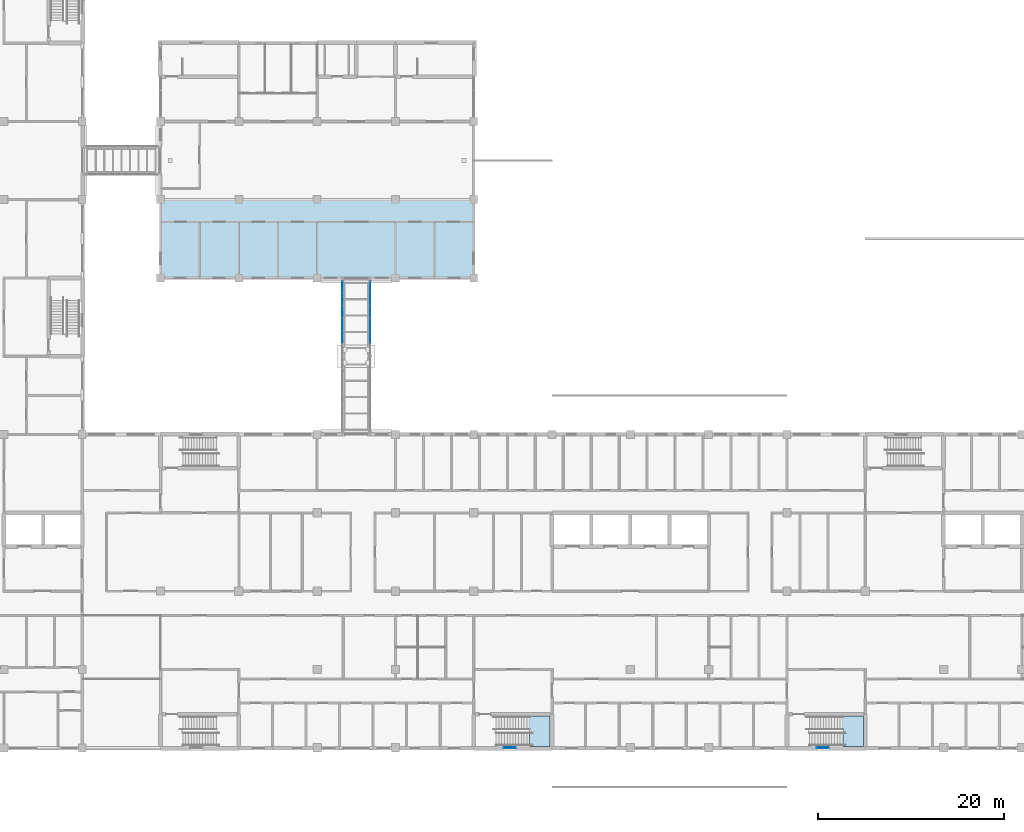
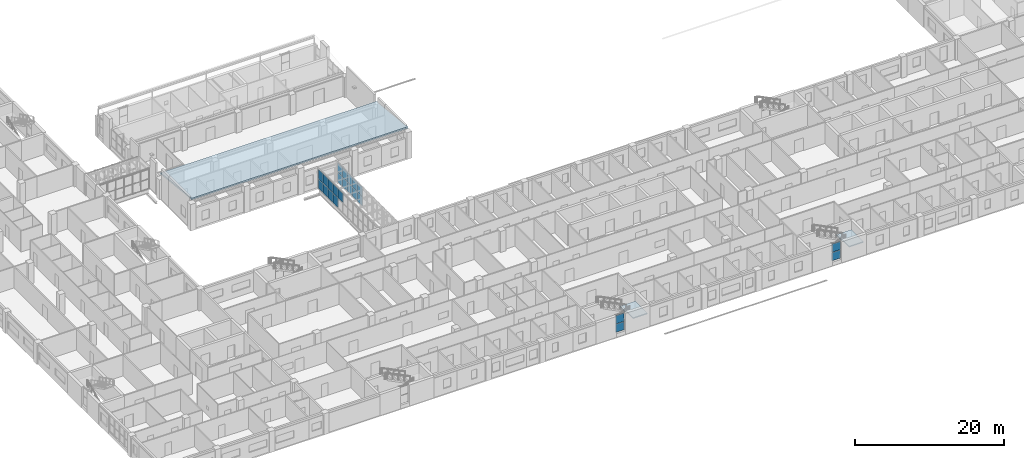
# One storey, part 44 of 94: 23 plates, 3 slabs, 6 elements without a shape of their own.
"""IFC4 building model written with IfcOpenShell, lengths in metres."""

from ifc_helpers import new_model, si_unit, direction, frame, origin, origin_2d, place, context, subcontext, project, spatial, polyline, rectangle, outline, extrude, material, layer, layer_set, type_object, element, aggregate, save


model = new_model("IFC4")

# Units and contexts
model_context = context("Model", 3, precision=1e-05, world=origin(), true_north=direction((0.0, 1.0)))
body_context = subcontext(model_context, "Body", "Model", "MODEL_VIEW")
ifc_project = project(units=[si_unit("LENGTHUNIT", "METRE"), si_unit("AREAUNIT", "SQUARE_METRE"), si_unit("VOLUMEUNIT", "CUBIC_METRE"), si_unit("PLANEANGLEUNIT", "RADIAN"), si_unit("MASSUNIT", "GRAM", prefix="KILO")], contexts=[model_context])

# Site, building, storey
site_placement = place(None, origin())
site = spatial("IfcSite", under=ifc_project, at=site_placement, CompositionType="ELEMENT")
building_placement = place(site_placement, origin())
building = spatial("IfcBuilding", under=site, at=building_placement, Name="Yavir Park General Hospital", CompositionType="ELEMENT")
storey_placement = place(building_placement, frame((0.0, 0.0, 4.5)))
storey = spatial("IfcBuildingStorey", under=building, at=storey_placement, Name="L01", CompositionType="ELEMENT", Elevation=4.5)

# Curtain wall, plates
ifc_material_1 = material(Name="Aluminium curtain wall frame with insulated glazing", Category="aluminium")
curtain_wall_type_1 = type_object("IfcCurtainWallType", Name="Bridge enclosure glazing, 3250 high, 1400 module", PredefinedType="NOTDEFINED", material=ifc_material_1)
curtain_wall_1_placement = place(storey_placement, origin())
curtain_wall_1 = element("IfcCurtainWall", 1, at=curtain_wall_1_placement, inside=storey, type_object=curtain_wall_type_1, Name="CW41 L01-024", PredefinedType="NOTDEFINED")
ifc_material_2 = material(Name="Solar-control insulated glazed unit 40 mm")
ifc_layer_1 = layer(ifc_material_2, 0.0400390625)
ifc_layer_set_1 = layer_set([ifc_layer_1], Name="Solar-control insulated glazed unit 40 mm")
plate_type_1 = type_object("IfcPlateType", Name="Bridge enclosure glazing, 3250 high panel 40", PredefinedType="CURTAIN_PANEL", material=ifc_layer_set_1)
plate_1_placement = place(storey_placement, frame((53.10009765625, 44.059326171875, 1.6552734375), z_axis=(0.0, 0.0, 1.0), x_axis=(0.0, 1.0, 0.0)))
plate_1 = element("IfcPlate", 2, at=plate_1_placement, type_object=plate_type_1, Name="CW41 panel 8.2", PredefinedType="CURTAIN_PANEL", context=body_context, shape_type="SweptSolid", body=[
    extrude(rectangle(XDim=1.287841796875, YDim=0.0400390625, at=origin_2d()), origin(), (0.0, 0.0, 1.0), 1.534912109375),
])
plate_2_placement = place(storey_placement, frame((53.10009765625, 45.4072265625, 0.06005859375), z_axis=(0.0, 0.0, 1.0), x_axis=(0.0, 1.0, 0.0)))
plate_2 = element("IfcPlate", 3, at=plate_2_placement, type_object=plate_type_1, Name="CW41 panel 9.1", PredefinedType="CURTAIN_PANEL", context=body_context, shape_type="SweptSolid", body=[
    extrude(rectangle(XDim=1.287841796875, YDim=0.0400390625, at=origin_2d()), origin(), (0.0, 0.0, 1.0), 1.534912109375),
])
plate_3_placement = place(storey_placement, frame((53.10009765625, 45.4072265625, 1.6552734375), z_axis=(0.0, 0.0, 1.0), x_axis=(0.0, 1.0, 0.0)))
plate_3 = element("IfcPlate", 4, at=plate_3_placement, type_object=plate_type_1, Name="CW41 panel 9.2", PredefinedType="CURTAIN_PANEL", context=body_context, shape_type="SweptSolid", body=[
    extrude(rectangle(XDim=1.287841796875, YDim=0.0400390625, at=origin_2d()), origin(), (0.0, 0.0, 1.0), 1.534912109375),
])
plate_4_placement = place(storey_placement, frame((53.10009765625, 46.755126953125, 0.06005859375), z_axis=(0.0, 0.0, 1.0), x_axis=(0.0, 1.0, 0.0)))
plate_4 = element("IfcPlate", 5, at=plate_4_placement, type_object=plate_type_1, Name="CW41 panel 10.1", PredefinedType="CURTAIN_PANEL", context=body_context, shape_type="SweptSolid", body=[
    extrude(rectangle(XDim=1.287841796875, YDim=0.0400390625, at=origin_2d()), origin(), (0.0, 0.0, 1.0), 1.534912109375),
])
plate_5_placement = place(storey_placement, frame((53.10009765625, 46.755126953125, 1.6552734375), z_axis=(0.0, 0.0, 1.0), x_axis=(0.0, 1.0, 0.0)))
plate_5 = element("IfcPlate", 6, at=plate_5_placement, type_object=plate_type_1, Name="CW41 panel 10.2", PredefinedType="CURTAIN_PANEL", context=body_context, shape_type="SweptSolid", body=[
    extrude(rectangle(XDim=1.287841796875, YDim=0.0400390625, at=origin_2d()), origin(), (0.0, 0.0, 1.0), 1.534912109375),
])
plate_6_placement = place(storey_placement, frame((53.10009765625, 48.10302734375, 0.06005859375), z_axis=(0.0, 0.0, 1.0), x_axis=(0.0, 1.0, 0.0)))
plate_6 = element("IfcPlate", 7, at=plate_6_placement, type_object=plate_type_1, Name="CW41 panel 11.1", PredefinedType="CURTAIN_PANEL", context=body_context, shape_type="SweptSolid", body=[
    extrude(rectangle(XDim=1.287841796875, YDim=0.0400390625, at=origin_2d()), origin(), (0.0, 0.0, 1.0), 1.534912109375),
])
plate_7_placement = place(storey_placement, frame((53.10009765625, 48.10302734375, 1.6552734375), z_axis=(0.0, 0.0, 1.0), x_axis=(0.0, 1.0, 0.0)))
plate_7 = element("IfcPlate", 8, at=plate_7_placement, type_object=plate_type_1, Name="CW41 panel 11.2", PredefinedType="CURTAIN_PANEL", context=body_context, shape_type="SweptSolid", body=[
    extrude(rectangle(XDim=1.287841796875, YDim=0.0400390625, at=origin_2d()), origin(), (0.0, 0.0, 1.0), 1.534912109375),
])
plate_8_placement = place(storey_placement, frame((53.10009765625, 49.43603515625, 0.06005859375), z_axis=(0.0, 0.0, 1.0), x_axis=(0.0, 1.0, 0.0)))
plate_8 = element("IfcPlate", 9, at=plate_8_placement, type_object=plate_type_1, Name="CW41 panel 12.1", PredefinedType="CURTAIN_PANEL", context=body_context, shape_type="SweptSolid", body=[
    extrude(rectangle(XDim=1.2578125, YDim=0.0400390625, at=origin_2d()), origin(), (0.0, 0.0, 1.0), 1.534912109375),
])
plate_9_placement = place(storey_placement, frame((53.10009765625, 49.43603515625, 1.6552734375), z_axis=(0.0, 0.0, 1.0), x_axis=(0.0, 1.0, 0.0)))
plate_9 = element("IfcPlate", 10, at=plate_9_placement, type_object=plate_type_1, Name="CW41 panel 12.2", PredefinedType="CURTAIN_PANEL", context=body_context, shape_type="SweptSolid", body=[
    extrude(rectangle(XDim=1.2578125, YDim=0.0400390625, at=origin_2d()), origin(), (0.0, 0.0, 1.0), 1.534912109375),
])
aggregate(curtain_wall_1, [plate_1, plate_2, plate_3, plate_4, plate_5, plate_6, plate_7, plate_8, plate_9])

curtain_wall_2_placement = place(storey_placement, origin())
curtain_wall_2 = element("IfcCurtainWall", 11, at=curtain_wall_2_placement, inside=storey, type_object=curtain_wall_type_1, Name="CW41 L01-025", PredefinedType="NOTDEFINED")
plate_10_placement = place(storey_placement, frame((56.10009765625, 44.059326171875, 0.06005859375), z_axis=(0.0, 0.0, 1.0), x_axis=(0.0, 1.0, 0.0)))
plate_10 = element("IfcPlate", 12, at=plate_10_placement, type_object=plate_type_1, Name="CW41 panel 8.1", PredefinedType="CURTAIN_PANEL", context=body_context, shape_type="SweptSolid", body=[
    extrude(rectangle(XDim=1.287841796875, YDim=0.0400390625, at=origin_2d()), origin(), (0.0, 0.0, 1.0), 1.534912109375),
])
plate_11_placement = place(storey_placement, frame((56.10009765625, 44.059326171875, 1.6552734375), z_axis=(0.0, 0.0, 1.0), x_axis=(0.0, 1.0, 0.0)))
plate_11 = element("IfcPlate", 13, at=plate_11_placement, type_object=plate_type_1, Name="CW41 panel 8.2", PredefinedType="CURTAIN_PANEL", context=body_context, shape_type="SweptSolid", body=[
    extrude(rectangle(XDim=1.287841796875, YDim=0.0400390625, at=origin_2d()), origin(), (0.0, 0.0, 1.0), 1.534912109375),
])
plate_12_placement = place(storey_placement, frame((56.10009765625, 45.4072265625, 0.06005859375), z_axis=(0.0, 0.0, 1.0), x_axis=(0.0, 1.0, 0.0)))
plate_12 = element("IfcPlate", 14, at=plate_12_placement, type_object=plate_type_1, Name="CW41 panel 9.1", PredefinedType="CURTAIN_PANEL", context=body_context, shape_type="SweptSolid", body=[
    extrude(rectangle(XDim=1.287841796875, YDim=0.0400390625, at=origin_2d()), origin(), (0.0, 0.0, 1.0), 1.534912109375),
])
plate_13_placement = place(storey_placement, frame((56.10009765625, 45.4072265625, 1.6552734375), z_axis=(0.0, 0.0, 1.0), x_axis=(0.0, 1.0, 0.0)))
plate_13 = element("IfcPlate", 15, at=plate_13_placement, type_object=plate_type_1, Name="CW41 panel 9.2", PredefinedType="CURTAIN_PANEL", context=body_context, shape_type="SweptSolid", body=[
    extrude(rectangle(XDim=1.287841796875, YDim=0.0400390625, at=origin_2d()), origin(), (0.0, 0.0, 1.0), 1.534912109375),
])
plate_14_placement = place(storey_placement, frame((56.10009765625, 46.755126953125, 0.06005859375), z_axis=(0.0, 0.0, 1.0), x_axis=(0.0, 1.0, 0.0)))
plate_14 = element("IfcPlate", 16, at=plate_14_placement, type_object=plate_type_1, Name="CW41 panel 10.1", PredefinedType="CURTAIN_PANEL", context=body_context, shape_type="SweptSolid", body=[
    extrude(rectangle(XDim=1.287841796875, YDim=0.0400390625, at=origin_2d()), origin(), (0.0, 0.0, 1.0), 1.534912109375),
])
plate_15_placement = place(storey_placement, frame((56.10009765625, 46.755126953125, 1.6552734375), z_axis=(0.0, 0.0, 1.0), x_axis=(0.0, 1.0, 0.0)))
plate_15 = element("IfcPlate", 17, at=plate_15_placement, type_object=plate_type_1, Name="CW41 panel 10.2", PredefinedType="CURTAIN_PANEL", context=body_context, shape_type="SweptSolid", body=[
    extrude(rectangle(XDim=1.287841796875, YDim=0.0400390625, at=origin_2d()), origin(), (0.0, 0.0, 1.0), 1.534912109375),
])
plate_16_placement = place(storey_placement, frame((56.10009765625, 48.10302734375, 0.06005859375), z_axis=(0.0, 0.0, 1.0), x_axis=(0.0, 1.0, 0.0)))
plate_16 = element("IfcPlate", 18, at=plate_16_placement, type_object=plate_type_1, Name="CW41 panel 11.1", PredefinedType="CURTAIN_PANEL", context=body_context, shape_type="SweptSolid", body=[
    extrude(rectangle(XDim=1.287841796875, YDim=0.0400390625, at=origin_2d()), origin(), (0.0, 0.0, 1.0), 1.534912109375),
])
plate_17_placement = place(storey_placement, frame((56.10009765625, 48.10302734375, 1.6552734375), z_axis=(0.0, 0.0, 1.0), x_axis=(0.0, 1.0, 0.0)))
plate_17 = element("IfcPlate", 19, at=plate_17_placement, type_object=plate_type_1, Name="CW41 panel 11.2", PredefinedType="CURTAIN_PANEL", context=body_context, shape_type="SweptSolid", body=[
    extrude(rectangle(XDim=1.287841796875, YDim=0.0400390625, at=origin_2d()), origin(), (0.0, 0.0, 1.0), 1.534912109375),
])
plate_18_placement = place(storey_placement, frame((56.10009765625, 49.43603515625, 0.06005859375), z_axis=(0.0, 0.0, 1.0), x_axis=(0.0, 1.0, 0.0)))
plate_18 = element("IfcPlate", 20, at=plate_18_placement, type_object=plate_type_1, Name="CW41 panel 12.1", PredefinedType="CURTAIN_PANEL", context=body_context, shape_type="SweptSolid", body=[
    extrude(rectangle(XDim=1.2578125, YDim=0.0400390625, at=origin_2d()), origin(), (0.0, 0.0, 1.0), 1.534912109375),
])
plate_19_placement = place(storey_placement, frame((56.10009765625, 49.43603515625, 1.6552734375), z_axis=(0.0, 0.0, 1.0), x_axis=(0.0, 1.0, 0.0)))
plate_19 = element("IfcPlate", 21, at=plate_19_placement, type_object=plate_type_1, Name="CW41 panel 12.2", PredefinedType="CURTAIN_PANEL", context=body_context, shape_type="SweptSolid", body=[
    extrude(rectangle(XDim=1.2578125, YDim=0.0400390625, at=origin_2d()), origin(), (0.0, 0.0, 1.0), 1.534912109375),
])
aggregate(curtain_wall_2, [plate_10, plate_11, plate_12, plate_13, plate_14, plate_15, plate_16, plate_17, plate_18, plate_19])

# Stair, slab
ifc_material_3 = material(Name="Concrete C30/37", Category="concrete")
stair_type = type_object("IfcStairType", Name="Patient escape stair, 26 risers of 150 mm, 1400 mm flights", PredefinedType="HALF_TURN_STAIR", material=ifc_material_3)
stair_1_placement = place(storey_placement, origin())
stair_1 = element("IfcStair", 22, at=stair_1_placement, inside=storey, type_object=stair_type, Name="Stair SU3, L01 to L02", PredefinedType="HALF_TURN_STAIR")
ifc_material_4 = material(Name="Concrete C30/37", Category="concrete")
ifc_layer_2 = layer(ifc_material_4, 0.159912109375)
ifc_layer_set_2 = layer_set([ifc_layer_2], Name="Concrete C30/37")
slab_type_1 = type_object("IfcSlabType", Name="Patient escape stair half landing, reinforced concrete 160 mm", PredefinedType="LANDING", material=ifc_layer_set_2)
slab_1_placement = place(storey_placement, frame((0.0, 0.0, 1.7900390625)))
slab_1 = element("IfcSlab", 23, at=slab_1_placement, type_object=slab_type_1, Name="SU3 landing 1", PredefinedType="LANDING", context=body_context, shape_type="SweptSolid", body=[
    extrude(outline(polyline([(73.198486328125, 0.14990234375), (75.39990234375, 0.14990234375), (75.39990234375, 3.39990234375), (73.050048828125, 3.39990234375), (73.050048828125, 1.949951171875), (73.198486328125, 1.949951171875), (73.198486328125, 0.14990234375)])), origin(), (0.0, 0.0, 1.0), 0.159912109375),
])
aggregate(stair_1, [slab_1])

stair_2_placement = place(storey_placement, origin())
stair_2 = element("IfcStair", 24, at=stair_2_placement, inside=storey, type_object=stair_type, Name="Stair SU4, L01 to L02", PredefinedType="HALF_TURN_STAIR")
slab_2_placement = place(storey_placement, frame((0.0, 0.0, 1.7900390625)))
slab_2 = element("IfcSlab", 25, at=slab_2_placement, type_object=slab_type_1, Name="SU4 landing 1", PredefinedType="LANDING", context=body_context, shape_type="SweptSolid", body=[
    extrude(outline(polyline([(106.798583984375, 0.14990234375), (109.0, 0.14990234375), (109.0, 3.39990234375), (106.64990234375, 3.39990234375), (106.64990234375, 1.949951171875), (106.798583984375, 1.949951171875), (106.798583984375, 0.14990234375)])), origin(), (0.0, 0.0, 1.0), 0.159912109375),
])
aggregate(stair_2, [slab_2])

# Slab
ifc_material_5 = material(Name="Concrete C35/45", Category="concrete")
ifc_layer_3 = layer(ifc_material_5, 0.25)
ifc_layer_set_3 = layer_set([ifc_layer_3], Name="Concrete C35/45")
slab_type_2 = type_object("IfcSlabType", Name="RC SLAB ROOF 250", PredefinedType="ROOF", material=ifc_layer_set_3)
slab_3_placement = place(storey_placement, frame((67.199951171875, 50.39990234375, 5.0), z_axis=(0.0, 0.0, 1.0), x_axis=(0.0, 1.0, 0.0)))
element("IfcSlab", 26, at=slab_3_placement, inside=storey, type_object=slab_type_2, Name="RF:CLIN:S1", PredefinedType="ROOF", context=body_context, shape_type="SweptSolid", body=[
    extrude(outline(polyline([(0.0, 0.0), (8.400146484375, -0.89990234375), (8.400146484375, -1.1513671875), (0.0, -0.25146484375), (0.0, 0.0)])), frame((0.0, 33.599853515625, 0.0), z_axis=(0.0, -1.0, 0.0), x_axis=(1.0, 0.0, 0.0)), (0.0, 0.0, 1.0), 33.599853515625),
])

# Curtain wall, plates
ifc_material_6 = material(Name="Aluminium curtain wall frame with insulated glazing", Category="aluminium")
curtain_wall_type_2 = type_object("IfcCurtainWallType", Name="Stair light slot, podium, 2850 high, 1400 module", PredefinedType="NOTDEFINED", material=ifc_material_6)
curtain_wall_3_placement = place(storey_placement, origin())
curtain_wall_3 = element("IfcCurtainWall", 27, at=curtain_wall_3_placement, inside=storey, type_object=curtain_wall_type_2, Name="CW9 L01-002", PredefinedType="NOTDEFINED")
ifc_material_7 = material(Name="Fire-resisting glazed unit 70 mm")
ifc_layer_4 = layer(ifc_material_7, 0.070068359375)
ifc_layer_set_4 = layer_set([ifc_layer_4], Name="Fire-resisting glazed unit 70 mm")
plate_type_2 = type_object("IfcPlateType", Name="Stair light slot, podium, 2850 high panel 70", PredefinedType="CURTAIN_PANEL", material=ifc_layer_set_4)
plate_20_placement = place(storey_placement, frame((71.050048828125, 0.0, 0.64990234375), z_axis=(0.0, 0.0, 1.0), x_axis=(1.0, 0.0, 0.0)))
plate_20 = element("IfcPlate", 28, at=plate_20_placement, type_object=plate_type_2, Name="CW9 panel 1.1", PredefinedType="CURTAIN_PANEL", context=body_context, shape_type="SweptSolid", body=[
    extrude(rectangle(XDim=1.300048828125, YDim=0.070068359375, at=origin_2d()), origin(), (0.0, 0.0, 1.0), 1.35009765625),
])
plate_21_placement = place(storey_placement, frame((71.050048828125, 0.0, 2.050048828125), z_axis=(0.0, 0.0, 1.0), x_axis=(1.0, 0.0, 0.0)))
plate_21 = element("IfcPlate", 29, at=plate_21_placement, type_object=plate_type_2, Name="CW9 panel 1.2", PredefinedType="CURTAIN_PANEL", context=body_context, shape_type="SweptSolid", body=[
    extrude(rectangle(XDim=1.300048828125, YDim=0.070068359375, at=origin_2d()), origin(), (0.0, 0.0, 1.0), 1.35009765625),
])
aggregate(curtain_wall_3, [plate_20, plate_21])

curtain_wall_4_placement = place(storey_placement, origin())
curtain_wall_4 = element("IfcCurtainWall", 30, at=curtain_wall_4_placement, inside=storey, type_object=curtain_wall_type_2, Name="CW9 L01-003", PredefinedType="NOTDEFINED")
plate_22_placement = place(storey_placement, frame((104.64990234375, 0.0, 0.64990234375), z_axis=(0.0, 0.0, 1.0), x_axis=(1.0, 0.0, 0.0)))
plate_22 = element("IfcPlate", 31, at=plate_22_placement, type_object=plate_type_2, Name="CW9 panel 1.1", PredefinedType="CURTAIN_PANEL", context=body_context, shape_type="SweptSolid", body=[
    extrude(rectangle(XDim=1.300048828125, YDim=0.070068359375, at=origin_2d()), origin(), (0.0, 0.0, 1.0), 1.35009765625),
])
plate_23_placement = place(storey_placement, frame((104.64990234375, 0.0, 2.050048828125), z_axis=(0.0, 0.0, 1.0), x_axis=(1.0, 0.0, 0.0)))
plate_23 = element("IfcPlate", 32, at=plate_23_placement, type_object=plate_type_2, Name="CW9 panel 1.2", PredefinedType="CURTAIN_PANEL", context=body_context, shape_type="SweptSolid", body=[
    extrude(rectangle(XDim=1.300048828125, YDim=0.070068359375, at=origin_2d()), origin(), (0.0, 0.0, 1.0), 1.35009765625),
])
aggregate(curtain_wall_4, [plate_22, plate_23])

save(model, "model.ifc")
